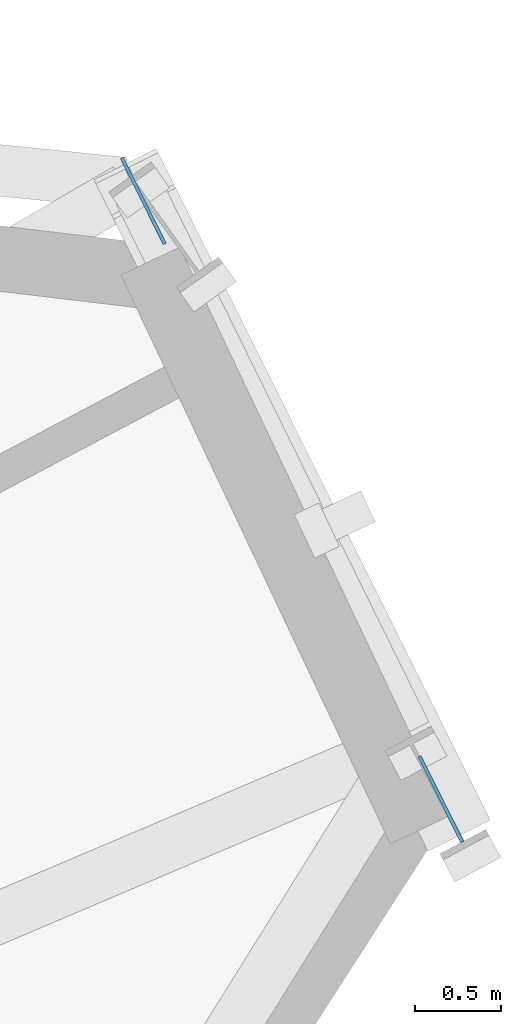
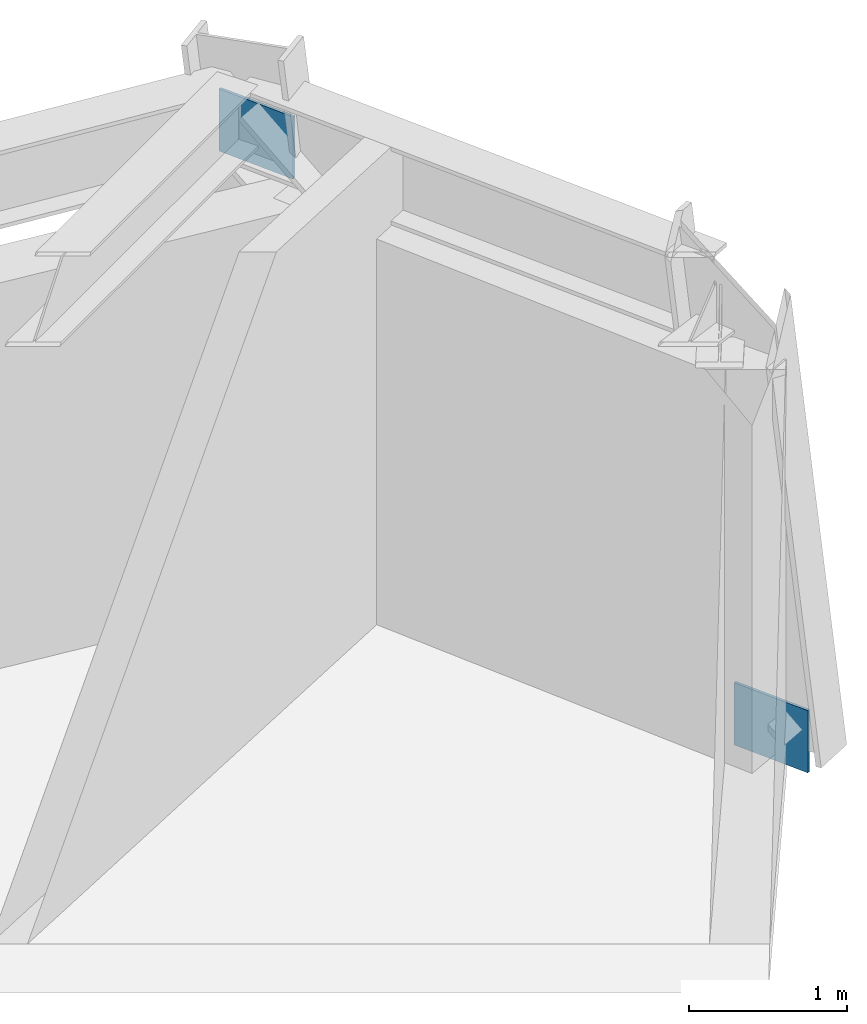
# One storey, part 10 of 16: 2 plates.
"""IFC4 building model written with IfcOpenShell, lengths in metres."""

from ifc_helpers import new_model, si_unit, direction, frame, origin, origin_2d, place, context, subcontext, project, spatial, rectangle, extrude, source, transform, mapped, material, type_object, element, save


model = new_model("IFC4")

# Units and contexts
model_context = context("Model", 3, precision=1e-05, world=origin(), true_north=direction((0.0, 1.0)))
body_context = subcontext(model_context, "Body", "Model", "MODEL_VIEW")
ifc_project = project(units=[si_unit("LENGTHUNIT", "METRE"), si_unit("AREAUNIT", "SQUARE_METRE"), si_unit("VOLUMEUNIT", "CUBIC_METRE"), si_unit("PLANEANGLEUNIT", "RADIAN"), si_unit("MASSUNIT", "GRAM", prefix="KILO")], contexts=[model_context])

# Site, building, storey
site_placement = place(None, origin())
site = spatial("IfcSite", under=ifc_project, at=site_placement, CompositionType="ELEMENT")
building_placement = place(site_placement, origin())
building = spatial("IfcBuilding", under=site, at=building_placement, Name="Olszyna Solenne Hotel", CompositionType="ELEMENT")
storey_placement = place(building_placement, frame((0.0, 0.0, 138.10009765625)))
storey = spatial("IfcBuildingStorey", under=building, at=storey_placement, Name="L36", CompositionType="ELEMENT", Elevation=138.10009765625)

# Plates
ifc_material = material(Name="Steel S355J2", Category="steel")
plate_type = type_object("IfcPlateType", Name="GP-ND2", PredefinedType="USERDEFINED", material=ifc_material)
shared_shape = source(origin(), body_context, "Body", "SweptSolid", [
    extrude(rectangle(XDim=0.56005859375, YDim=0.02001953125, at=origin_2d()), origin(), (0.0, 0.0, 1.0), 0.47998046875),
])
for number, where, z_axis, x_axis, name in (
    (1, (65.47509765625, 37.883056640625, -0.1435546875), (0.0, 0.0, 1.0), (-0.445416665749, 0.895323401835, 0.0), "Brace end connection gusset plate GP-ND2 EP-BR-L36-1-1"),
    (2, (63.738037109375, 41.374755859375, 2.92333984375), (0.0, 0.0, 1.0), (-0.445416665749, 0.895323401835, 0.0), "Brace end connection gusset plate GP-ND2 EP-BR-L36-1-2"),
):
    element("IfcPlate", number, at=place(storey_placement, frame(where, z_axis=z_axis, x_axis=x_axis)), inside=storey, type_object=plate_type, Name=name, ObjectType="GUSSET_PLATE", PredefinedType="USERDEFINED", context=body_context, shape_type="MappedRepresentation", body=[
        mapped(shared_shape, transform((0.0, 0.0, 0.0), x_axis=(1.0, 0.0, 0.0), y_axis=(0.0, 1.0, 0.0), z_axis=(0.0, 0.0, 1.0), scale=1.0)),
    ])

save(model, "model.ifc")
